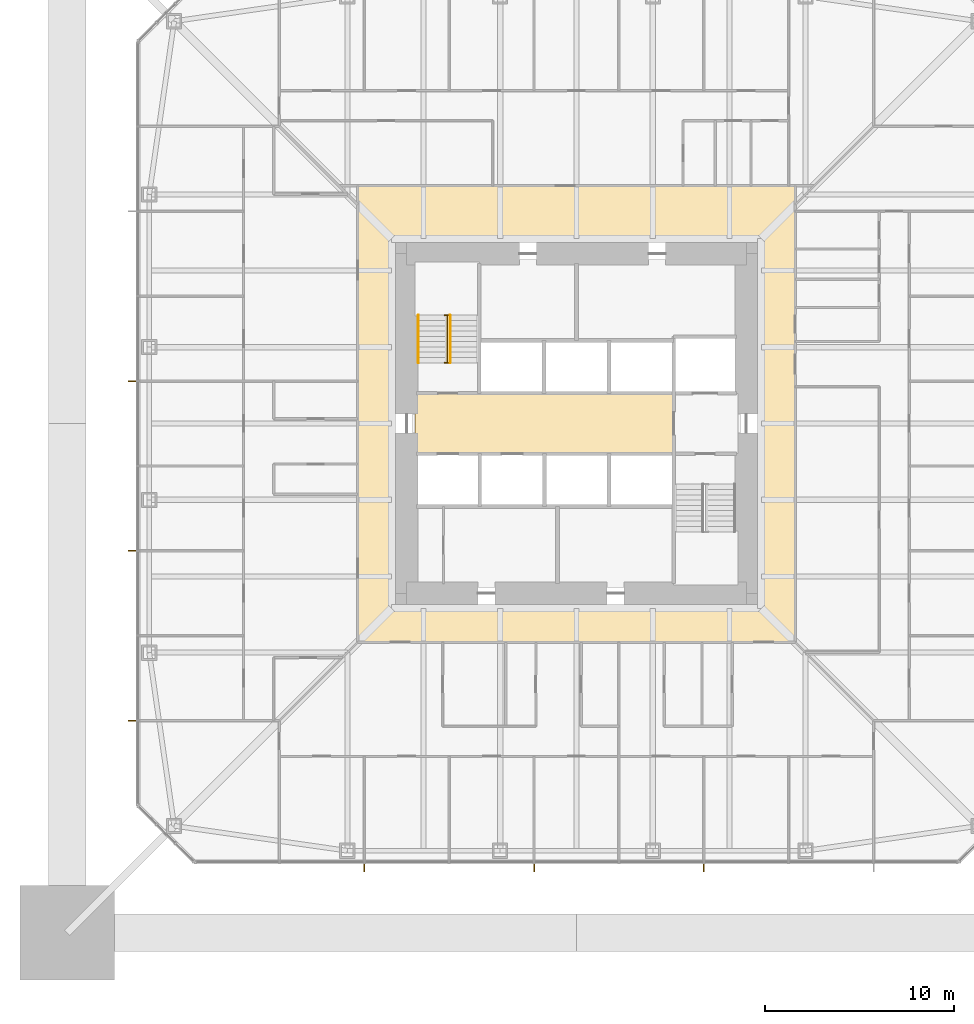
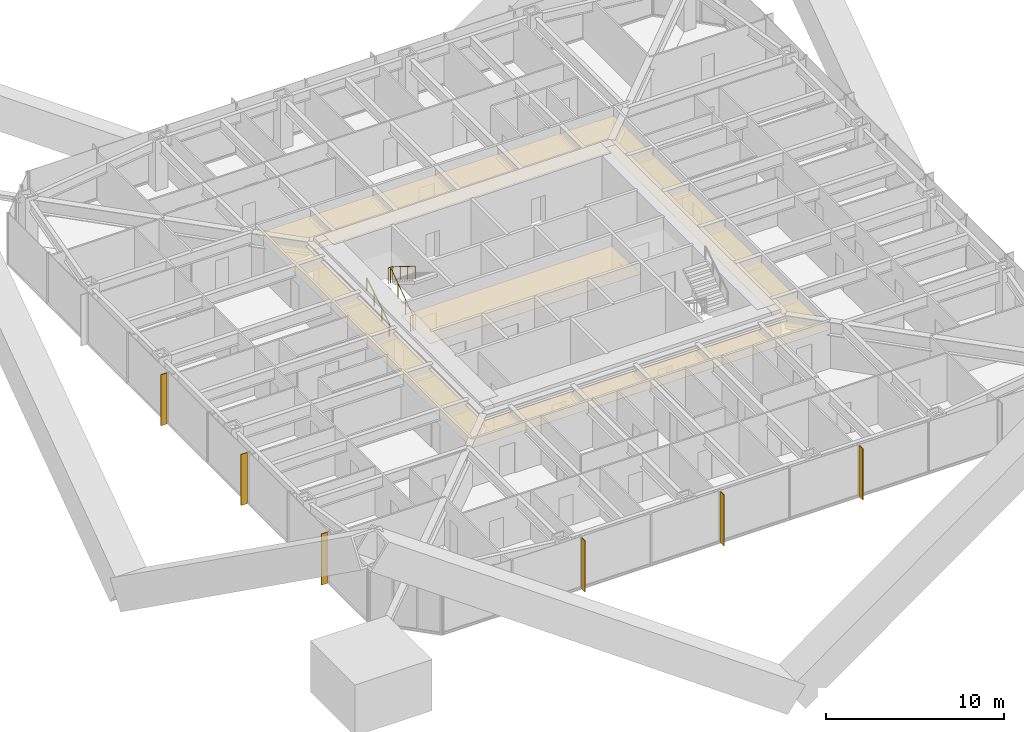
# One storey, part 25 of 28: 6 shading devices, 3 railings, 2 coverings.
"""IFC4 building model written with IfcOpenShell, lengths in metres."""

from ifc_helpers import new_model, si_unit, direction, frame, origin, origin_2d, place, context, subcontext, project, spatial, polyline, rectangle, circle, outline, extrude, material, layer, layer_set, constituent, constituent_set, type_object, element, save


model = new_model("IFC4")

# Units and contexts
model_context = context("Model", 3, precision=1e-05, world=origin(), true_north=direction((0.0, 1.0)))
body_context = subcontext(model_context, "Body", "Model", "MODEL_VIEW")
ifc_project = project(units=[si_unit("LENGTHUNIT", "METRE"), si_unit("AREAUNIT", "SQUARE_METRE"), si_unit("VOLUMEUNIT", "CUBIC_METRE"), si_unit("PLANEANGLEUNIT", "RADIAN"), si_unit("MASSUNIT", "GRAM", prefix="KILO")], contexts=[model_context])

# Site, building, storey
site_placement = place(None, origin())
site = spatial("IfcSite", under=ifc_project, at=site_placement, CompositionType="ELEMENT")
building_placement = place(site_placement, origin())
building = spatial("IfcBuilding", under=site, at=building_placement, Name="Iwan Alto Co-Living Towers", CompositionType="ELEMENT")
storey_placement = place(building_placement, frame((0.0, 0.0, 64.0)))
storey = spatial("IfcBuildingStorey", under=building, at=storey_placement, Name="L17", CompositionType="ELEMENT", Elevation=64.0)

# Covering
ifc_material_1 = material(Name="Mineral fibre acoustic tiles on steel grid", Category="steel")
ifc_layer_1 = layer(ifc_material_1, 0.02001953125)
ifc_layer_set_1 = layer_set([ifc_layer_1], Name="ACOUSTIC TILE CEILING 20")
covering_type_1 = type_object("IfcCoveringType", Name="ACOUSTIC TILE CEILING 20", PredefinedType="CEILING", material=ifc_layer_set_1)
covering_1_placement = place(storey_placement, frame((0.0, 0.0, 2.60009765625)))
element("IfcCovering", 1, at=covering_1_placement, inside=storey, type_object=covering_type_1, Name="Ceiling Lift lobby L17", PredefinedType="CEILING", context=body_context, shape_type="SweptSolid", body=[
    extrude(outline(polyline([(-8.550048828125, -1.60009765625), (-8.550048828125, 1.60009765625), (5.14990234375, 1.60009765625), (5.14990234375, -1.60009765625), (-8.550048828125, -1.60009765625)])), origin(), (0.0, 0.0, 1.0), 0.02001953125),
])

# Shading devices
ifc_material_2 = material(Name="Aluminium 6063-T6 bronze anodised", Category="aluminium")
ifc_layer_2 = layer(ifc_material_2, 0.050048828125)
ifc_layer_set_2 = layer_set([ifc_layer_2], Name="BRONZE FIN 50X400")
shading_device_type = type_object("IfcShadingDeviceType", Name="BRONZE FIN 50X400", PredefinedType="USERDEFINED", material=ifc_layer_set_2)
for number, where, z_axis, x_axis, name in (
    (2, (-11.25, -23.550048828125, 0.0), (0.0, 0.0, 1.0), (1.0, 0.0, 0.0), "Bronze fin L17"),
    (3, (-2.25, -23.550048828125, 0.0), (0.0, 0.0, 1.0), (1.0, 0.0, 0.0), "Bronze fin L17"),
    (4, (6.75, -23.550048828125, 0.0), (0.0, 0.0, 1.0), (1.0, 0.0, 0.0), "Bronze fin L17"),
    (5, (-23.550048828125, 2.25, 0.0), (0.0, 0.0, 1.0), (0.0, -1.0, 0.0), "Bronze fin L17"),
    (6, (-23.550048828125, -6.75, 0.0), (0.0, 0.0, 1.0), (0.0, -1.0, 0.0), "Bronze fin L17"),
    (7, (-23.550048828125, -15.75, 0.0), (0.0, 0.0, 1.0), (0.0, -1.0, 0.0), "Bronze fin L17"),
):
    element("IfcShadingDevice", number, at=place(storey_placement, frame(where, z_axis=z_axis, x_axis=x_axis)), inside=storey, type_object=shading_device_type, Name=name, ObjectType="LOUVER", PredefinedType="USERDEFINED", context=body_context, shape_type="SweptSolid", body=[
        extrude(rectangle(XDim=0.050048828125, YDim=0.39990234375, at=origin_2d()), origin(), (0.0, 0.0, 1.0), 3.5),
    ])

# Railings
ifc_material_3 = material(Name="Steel ASTM A500 Gr C", Category="steel")
ifc_constituent_1 = constituent(ifc_material_3, Name="Rails and posts", Category="Framing")
ifc_material_4 = material(Name="Steel ASTM A36", Category="steel")
ifc_constituent_2 = constituent(ifc_material_4, Name="Bar infill", Category="Infill")
ifc_constituent_set = constituent_set(constituents=[ifc_constituent_1, ifc_constituent_2], Name="STAIR GUARD 1100")
railing_type_1 = type_object("IfcRailingType", Name="STAIR GUARD 1100", PredefinedType="GUARDRAIL", material=ifc_constituent_set)
railing_1_placement = place(storey_placement, frame((-6.85009765625, 3.219970703125, 0.0)))
element("IfcRailing", 8, at=railing_1_placement, inside=storey, type_object=railing_type_1, Name="Stair T1-S1 well guard L17", PredefinedType="GUARDRAIL", context=body_context, shape_type="SweptSolid", body=[
    extrude(circle(Radius=0.02392578125, at=origin_2d()), frame((0.0, 0.0, 1.076171875), z_axis=(0.0, 0.821372036852, 0.570392826987), x_axis=(-1.0, 0.0, 0.0)), (0.0, 0.0, 1.0), 3.068115234375),
    extrude(circle(Radius=0.02392578125, at=origin_2d()), frame((-0.14990234375, 0.0, 1.076171875), z_axis=(1.0, 0.0, 0.0), x_axis=(0.0, 1.0, 0.0)), (0.0, 0.0, 1.0), 0.300048828125),
    extrude(circle(Radius=0.02392578125, at=origin_2d()), frame((-0.14990234375, 2.52001953125, 2.826171875), z_axis=(1.0, 0.0, 0.0), x_axis=(0.0, 1.0, 0.0)), (0.0, 0.0, 1.0), 0.300048828125),
    extrude(circle(Radius=0.02099609375, at=origin_2d()), origin(), (0.0, 0.0, 1.0), 1.052001953125),
    extrude(circle(Radius=0.02099609375, at=origin_2d()), frame((0.0, 0.840087890625, 0.583251953125)), (0.0, 0.0, 1.0), 1.052001953125),
    extrude(circle(Radius=0.02099609375, at=origin_2d()), frame((0.0, 1.679931640625, 1.166748046875)), (0.0, 0.0, 1.0), 1.052001953125),
    extrude(circle(Radius=0.02099609375, at=origin_2d()), frame((0.0, 2.52001953125, 1.75)), (0.0, 0.0, 1.0), 1.052001953125),
    extrude(circle(Radius=0.02099609375, at=origin_2d()), frame((-0.14990234375, 0.0, 0.0)), (0.0, 0.0, 1.0), 1.052001953125),
    extrude(circle(Radius=0.02099609375, at=origin_2d()), frame((0.150146484375, 0.0, 0.0)), (0.0, 0.0, 1.0), 1.052001953125),
    extrude(circle(Radius=0.02099609375, at=origin_2d()), frame((-0.14990234375, 2.52001953125, 1.75)), (0.0, 0.0, 1.0), 1.052001953125),
    extrude(circle(Radius=0.02099609375, at=origin_2d()), frame((0.150146484375, 2.52001953125, 1.75)), (0.0, 0.0, 1.0), 1.052001953125),
])
ifc_material_5 = material(Name="Steel ASTM A500 Gr C", Category="steel")
railing_type_2 = type_object("IfcRailingType", Name="STAIR HANDRAIL 900", PredefinedType="HANDRAIL", material=ifc_material_5)
railing_2_placement = place(storey_placement, frame((-8.3798828125, 3.219970703125, 0.175048828125)))
element("IfcRailing", 9, at=railing_2_placement, inside=storey, type_object=railing_type_2, Name="Stair T1-S1 handrail 1 L17", PredefinedType="HANDRAIL", context=body_context, shape_type="SweptSolid", body=[
    extrude(circle(Radius=0.02392578125, at=origin_2d()), frame((0.0, 0.0, 0.8759765625), z_axis=(0.0, 0.848007534815, 0.529984170421), x_axis=(-1.0, 0.0, 0.0)), (0.0, 0.0, 1.0), 2.9716796875),
    extrude(circle(Radius=0.02099609375, at=origin_2d()), origin(), (0.0, 0.0, 1.0), 0.851806640625),
    extrude(circle(Radius=0.02099609375, at=origin_2d()), frame((0.0, 0.840087890625, 0.52490234375)), (0.0, 0.0, 1.0), 0.851806640625),
    extrude(circle(Radius=0.02099609375, at=origin_2d()), frame((0.0, 1.679931640625, 1.050048828125)), (0.0, 0.0, 1.0), 0.851806640625),
    extrude(circle(Radius=0.02099609375, at=origin_2d()), frame((0.0, 2.52001953125, 1.574951171875)), (0.0, 0.0, 1.0), 0.851806640625),
])
railing_3_placement = place(storey_placement, frame((-6.699951171875, 5.739990234375, 1.925048828125)))
element("IfcRailing", 10, at=railing_3_placement, inside=storey, type_object=railing_type_2, Name="Stair T1-S1 handrail 2 L17", PredefinedType="HANDRAIL", context=body_context, shape_type="SweptSolid", body=[
    extrude(circle(Radius=0.02392578125, at=origin_2d()), frame((0.0, 0.0, 0.8759765625), z_axis=(0.0, -0.848007534815, 0.529984170421), x_axis=(1.0, 0.0, 0.0)), (0.0, 0.0, 1.0), 2.9716796875),
    extrude(circle(Radius=0.02099609375, at=origin_2d()), origin(), (0.0, 0.0, 1.0), 0.851806640625),
    extrude(circle(Radius=0.02099609375, at=origin_2d()), frame((0.0, -0.840087890625, 0.52490234375)), (0.0, 0.0, 1.0), 0.851806640625),
    extrude(circle(Radius=0.02099609375, at=origin_2d()), frame((0.0, -1.679931640625, 1.050048828125)), (0.0, 0.0, 1.0), 0.851806640625),
    extrude(circle(Radius=0.02099609375, at=origin_2d()), frame((0.0, -2.52001953125, 1.574951171875)), (0.0, 0.0, 1.0), 0.851806640625),
])

# Covering
ifc_material_6 = material(Name="Gypsum plasterboard on steel grid", Category="steel")
ifc_layer_3 = layer(ifc_material_6, 0.014892578125)
ifc_layer_set_3 = layer_set([ifc_layer_3], Name="SUSPENDED PLASTERBOARD CEILING 15")
covering_type_2 = type_object("IfcCoveringType", Name="SUSPENDED PLASTERBOARD CEILING 15", PredefinedType="CEILING", material=ifc_layer_set_3)
covering_2_placement = place(storey_placement, frame((0.0, 0.0, 2.60009765625)))
element("IfcCovering", 11, at=covering_2_placement, inside=storey, type_object=covering_type_2, Name="Ceiling Corridor L17", PredefinedType="CEILING", context=body_context, shape_type="SweptSolid", body=[
    extrude(outline(polyline([(-11.60009765625, 12.60009765625), (11.60009765625, 12.60009765625), (11.60009765625, -11.60009765625), (-11.60009765625, -11.60009765625), (-11.60009765625, 12.60009765625)]), holes=[polyline([(-9.60009765625, 9.60009765625), (-9.60009765625, -9.60009765625), (9.60009765625, -9.60009765625), (9.60009765625, 9.60009765625), (-9.60009765625, 9.60009765625)])]), origin(), (0.0, 0.0, 1.0), 0.014892578125),
])

save(model, "model.ifc")
